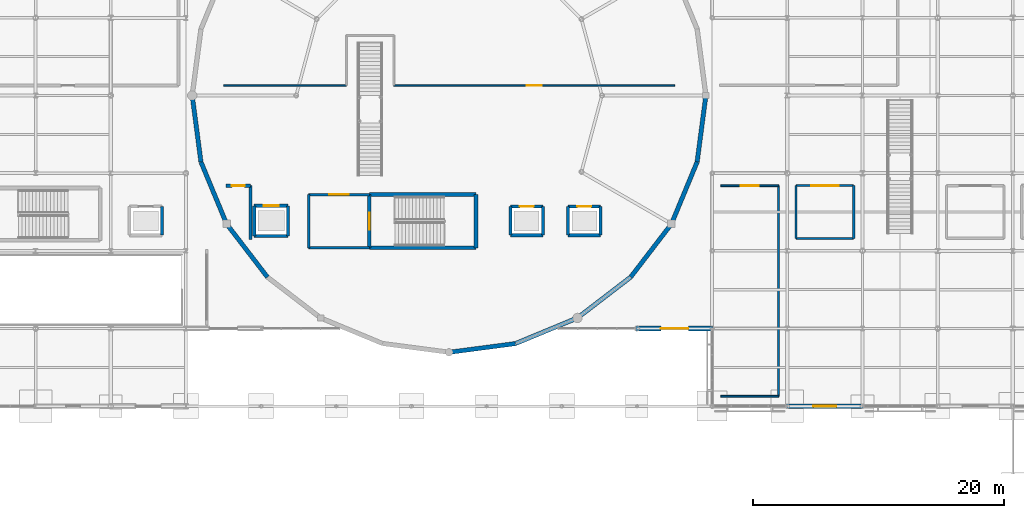
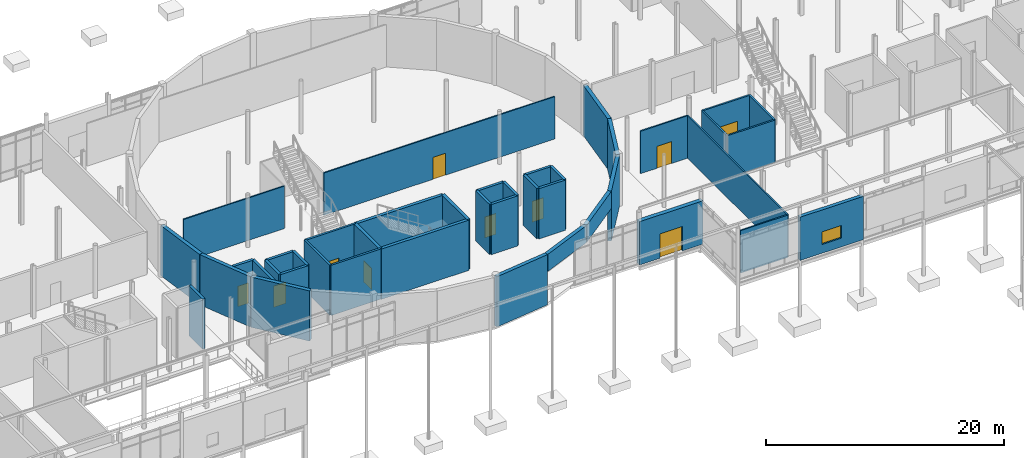
# One storey, part 69 of 98: 42 walls, 10 doors, 1 window, 11 openings.
"""IFC4 building model written with IfcOpenShell, lengths in metres."""

from ifc_helpers import new_model, si_unit, direction, frame, frame_2d, origin, place, context, subcontext, project, spatial, rectangle, extrude, material, layer, layer_set, type_object, element, fill, save


model = new_model("IFC4")

# Units and contexts
model_context = context("Model", 3, precision=1e-05, world=origin(), true_north=direction((0.0, 1.0)))
body_context = subcontext(model_context, "Body", "Model", "MODEL_VIEW")
ifc_project = project(units=[si_unit("LENGTHUNIT", "METRE"), si_unit("AREAUNIT", "SQUARE_METRE"), si_unit("VOLUMEUNIT", "CUBIC_METRE"), si_unit("PLANEANGLEUNIT", "RADIAN"), si_unit("MASSUNIT", "GRAM", prefix="KILO")], contexts=[model_context])

# Site, building, storey
site_placement = place(None, origin())
site = spatial("IfcSite", under=ifc_project, at=site_placement, CompositionType="ELEMENT")
building_placement = place(site_placement, origin())
building = spatial("IfcBuilding", under=site, at=building_placement, Name="Mirzam Square Science Centre", CompositionType="ELEMENT")
storey_placement = place(building_placement, origin())
storey = spatial("IfcBuildingStorey", under=building, at=storey_placement, Name="L00", CompositionType="ELEMENT", Elevation=0.0)

# Walls
ifc_material_1 = material(Name="Concrete C45/55", Category="concrete")
ifc_layer_1 = layer(ifc_material_1, 0.300048828125)
ifc_layer_set_1 = layer_set([ifc_layer_1], Name="W-CORE-300")
wall_type_1 = type_object("IfcWallType", Name="W-CORE-300", PredefinedType="SHEAR", material=ifc_layer_set_1)
for number, where, z_axis, x_axis, name in (
    (1, (74.639892578125, 49.840087890625, 0.0), (0.0, 0.0, 1.0), (1.0, 0.0, 0.0), "L00 CORE-3 south wall"),
    (2, (83.159912109375, 54.090087890625, 0.0), (0.0, 0.0, 1.0), (-1.0, 0.0, 0.0), "L00 CORE-3 north wall"),
):
    element("IfcWall", number, at=place(storey_placement, frame(where, z_axis=z_axis, x_axis=x_axis)), inside=storey, type_object=wall_type_1, Name=name, PredefinedType="SHEAR", context=body_context, shape_type="SweptSolid", body=[
        extrude(rectangle(XDim=8.52001953125, YDim=0.300048828125, at=frame_2d((4.260009765625, 0.0))), origin(), (0.0, 0.0, 1.0), 5.14990234375),
    ])

# Wall, opening, door
wall_1_placement = place(storey_placement, frame((74.639892578125, 54.090087890625, 0.0), z_axis=(0.0, 0.0, 1.0), x_axis=(0.0, -1.0, 0.0)))
wall_1 = element("IfcWall", 3, at=wall_1_placement, inside=storey, type_object=wall_type_1, Name="L00 CORE-3 west wall", PredefinedType="SHEAR", context=body_context, shape_type="SweptSolid", body=[
    extrude(rectangle(XDim=4.25, YDim=0.300048828125, at=frame_2d((2.125, 0.0))), origin(), (0.0, 0.0, 1.0), 5.14990234375),
])
opening_1_placement = place(wall_1_placement, frame((1.449951171875, 0.0, 0.0)))
opening_1 = element("IfcOpeningElement", 4, at=opening_1_placement, cuts=wall_1, Name="Opening DS-01", PredefinedType="OPENING", context=body_context, shape_type="SweptSolid", body=[
    extrude(rectangle(XDim=1.35009765625, YDim=2.199951171875, at=frame_2d((0.675048828125, 1.10009765625))), frame((0.0, 0.159912109375, 0.0), z_axis=(0.0, -1.0, 0.0), x_axis=(1.0, 0.0, 0.0)), (0.0, 0.0, 1.0), 0.320068359375),
])
ifc_material_2 = material(Name="Fire-Rated Powder-Coated Architectural Steel Door", Category="steel")
door_type_1 = type_object("IfcDoorType", Name="DR-STAIR-1350x2200", OperationType="NOTDEFINED", PredefinedType="DOOR", material=ifc_material_2)
door_1_placement = place(opening_1_placement, origin())
door_1 = element("IfcDoor", 5, at=door_1_placement, inside=storey, type_object=door_type_1, Name="DRS-3-L00", OperationType="SINGLE_SWING_RIGHT", OverallHeight=2.199951171875, OverallWidth=1.35009765625, PredefinedType="DOOR", context=body_context, shape_type="SweptSolid", body=[
    extrude(rectangle(XDim=1.35009765625, YDim=2.199951171875, at=frame_2d((0.675048828125, 1.10009765625))), frame((0.0, 0.02490234375, 0.0), z_axis=(0.0, -1.0, 0.0), x_axis=(1.0, 0.0, 0.0)), (0.0, 0.0, 1.0), 0.050048828125),
])
fill(opening_1, door_1)

# Walls
wall_2_placement = place(storey_placement, frame((83.159912109375, 49.840087890625, 0.0), z_axis=(0.0, 0.0, 1.0), x_axis=(0.0, 1.0, 0.0)))
element("IfcWall", 6, at=wall_2_placement, inside=storey, type_object=wall_type_1, Name="L00 CORE-3 east wall", PredefinedType="SHEAR", context=body_context, shape_type="SweptSolid", body=[
    extrude(rectangle(XDim=4.25, YDim=0.300048828125, at=frame_2d((2.125, 0.0))), origin(), (0.0, 0.0, 1.0), 5.14990234375),
])
ifc_layer_2 = layer(ifc_material_1, 0.35009765625)
ifc_layer_set_2 = layer_set([ifc_layer_2], Name="W-DRUM-350")
wall_type_2 = type_object("IfcWallType", Name="W-DRUM-350", PredefinedType="SHEAR", material=ifc_layer_set_2)
wall_3_placement = place(storey_placement, frame((60.5, 62.0, 0.0), z_axis=(0.0, 0.0, 1.0), x_axis=(0.130517056518, -0.991446064069, 0.0)))
element("IfcWall", 7, at=wall_3_placement, inside=storey, type_object=wall_type_2, Name="L00 planetarium drum wall 13", PredefinedType="SHEAR", context=body_context, shape_type="SweptSolid", body=[
    extrude(rectangle(XDim=5.351806640625, YDim=0.35009765625, at=frame_2d((2.67578125, 0.0))), origin(), (0.0, 0.0, 1.0), 5.14990234375),
])
for number, where, z_axis, x_axis, name in (
    (8, (61.198486328125, 56.694091796875, 0.0), (0.0, 0.0, 1.0), (0.382713071139, -0.923867255172, 0.0), "L00 planetarium drum wall 14"),
    (9, (63.24658203125, 51.75, 0.0), (0.0, 0.0, 1.0), (0.60876670321, -0.793349293227, 0.0), "L00 planetarium drum wall 15"),
):
    element("IfcWall", number, at=place(storey_placement, frame(where, z_axis=z_axis, x_axis=x_axis)), inside=storey, type_object=wall_type_2, Name=name, PredefinedType="SHEAR", context=body_context, shape_type="SweptSolid", body=[
        extrude(rectangle(XDim=5.3515625, YDim=0.35009765625, at=frame_2d((2.67578125, 0.0))), origin(), (0.0, 0.0, 1.0), 5.14990234375),
    ])
wall_4_placement = place(storey_placement, frame((81.0, 41.5, 0.0), z_axis=(0.0, 0.0, 1.0), x_axis=(0.991446064069, 0.130517056518, 0.0)))
element("IfcWall", 10, at=wall_4_placement, inside=storey, type_object=wall_type_2, Name="L00 planetarium drum wall 19", PredefinedType="SHEAR", context=body_context, shape_type="SweptSolid", body=[
    extrude(rectangle(XDim=5.351806640625, YDim=0.35009765625, at=frame_2d((2.67578125, 0.0))), origin(), (0.0, 0.0, 1.0), 5.14990234375),
])
for number, where, z_axis, x_axis, name in (
    (11, (86.305908203125, 42.198486328125, 3.39990234375), (0.0, 0.0, 1.0), (0.923867255172, 0.382713071139, 0.0), "L00 drum portal spandrel wall 20"),
    (12, (91.25, 44.24658203125, 3.39990234375), (0.0, 0.0, 1.0), (0.793349293227, 0.60876670321, 0.0), "L00 drum portal spandrel wall 21"),
):
    element("IfcWall", number, at=place(storey_placement, frame(where, z_axis=z_axis, x_axis=x_axis)), inside=storey, type_object=wall_type_2, Name=name, PredefinedType="SHEAR", context=body_context, shape_type="SweptSolid", body=[
        extrude(rectangle(XDim=5.3515625, YDim=0.35009765625, at=frame_2d((2.67578125, 0.0))), origin(), (0.0, 0.0, 1.0), 1.75),
    ])
for number, where, z_axis, x_axis, name in (
    (13, (95.49560546875, 47.50439453125, 0.0), (0.0, 0.0, 1.0), (0.60876670321, 0.793349293227, 0.0), "L00 planetarium drum wall 22"),
    (14, (98.75341796875, 51.75, 0.0), (0.0, 0.0, 1.0), (0.382713071139, 0.923867255172, 0.0), "L00 planetarium drum wall 23"),
):
    element("IfcWall", number, at=place(storey_placement, frame(where, z_axis=z_axis, x_axis=x_axis)), inside=storey, type_object=wall_type_2, Name=name, PredefinedType="SHEAR", context=body_context, shape_type="SweptSolid", body=[
        extrude(rectangle(XDim=5.3515625, YDim=0.35009765625, at=frame_2d((2.67578125, 0.0))), origin(), (0.0, 0.0, 1.0), 5.14990234375),
    ])
wall_5_placement = place(storey_placement, frame((100.801513671875, 56.694091796875, 0.0), z_axis=(0.0, 0.0, 1.0), x_axis=(0.130517056518, 0.991446064069, 0.0)))
element("IfcWall", 15, at=wall_5_placement, inside=storey, type_object=wall_type_2, Name="L00 planetarium drum wall 24", PredefinedType="SHEAR", context=body_context, shape_type="SweptSolid", body=[
    extrude(rectangle(XDim=5.351806640625, YDim=0.35009765625, at=frame_2d((2.67578125, 0.0))), origin(), (0.0, 0.0, 1.0), 5.14990234375),
])

# Wall, opening, window
ifc_material_3 = material(Name="Insulated Sand-Toned GFRC Concrete C40/50", Category="concrete")
ifc_layer_3 = layer(ifc_material_3, 0.340087890625)
ifc_layer_set_3 = layer_set([ifc_layer_3], Name="W-EXT-GFRC-340")
wall_type_3 = type_object("IfcWallType", Name="W-EXT-GFRC-340", PredefinedType="SOLIDWALL", material=ifc_layer_set_3)
wall_6_placement = place(storey_placement, frame((107.925048828125, 37.199951171875, 0.0), z_axis=(0.0, 0.0, 1.0), x_axis=(1.0, 0.0, 0.0)))
wall_6 = element("IfcWall", 16, at=wall_6_placement, inside=storey, type_object=wall_type_3, Name="L00 external wall EW-EST-S-L00-02", PredefinedType="SOLIDWALL", context=body_context, shape_type="SweptSolid", body=[
    extrude(rectangle(XDim=6.14990234375, YDim=0.340087890625, at=frame_2d((3.074951171875, 0.0))), origin(), (0.0, 0.0, 1.0), 4.43994140625),
])
opening_2_placement = place(wall_6_placement, frame((2.14990234375, 0.0, 0.89990234375)))
opening_2 = element("IfcOpeningElement", 17, at=opening_2_placement, cuts=wall_6, Name="Opening W-06", PredefinedType="OPENING", context=body_context, shape_type="SweptSolid", body=[
    extrude(rectangle(XDim=1.85009765625, YDim=1.300048828125, at=frame_2d((0.925048828125, 0.64990234375))), frame((0.0, 0.179931640625, 0.0), z_axis=(0.0, -1.0, 0.0), x_axis=(1.0, 0.0, 0.0)), (0.0, 0.0, 1.0), 0.360107421875),
])
ifc_material_4 = material(Name="Thermally Broken Bronze Aluminium and Low-E Glass", Category="aluminium")
window_type = type_object("IfcWindowType", Name="WIN-1850x1300", PartitioningType="DOUBLE_PANEL_VERTICAL", PredefinedType="WINDOW", material=ifc_material_4)
window_placement = place(opening_2_placement, origin())
window = element("IfcWindow", 18, at=window_placement, inside=storey, type_object=window_type, Name="L00 solar window 050", OverallHeight=1.300048828125, OverallWidth=1.85009765625, PartitioningType="DOUBLE_PANEL_VERTICAL", PredefinedType="WINDOW", context=body_context, shape_type="SweptSolid", body=[
    extrude(rectangle(XDim=1.85009765625, YDim=1.300048828125, at=frame_2d((0.925048828125, 0.64990234375))), frame((0.0, 0.030029296875, 0.0), z_axis=(0.0, -1.0, 0.0), x_axis=(1.0, 0.0, 0.0)), (0.0, 0.0, 1.0), 0.06005859375),
])
fill(opening_2, window)

# Wall, opening, door
ifc_material_5 = material(Name="Honed Qatari Limestone Concrete C40/50", Category="masonry")
ifc_layer_4 = layer(ifc_material_5, 0.39990234375)
ifc_layer_set_4 = layer_set([ifc_layer_4], Name="W-EXT-LIME-400")
wall_type_4 = type_object("IfcWallType", Name="W-EXT-LIME-400", PredefinedType="SOLIDWALL", material=ifc_layer_set_4)
wall_7_placement = place(storey_placement, frame((95.925048828125, 43.39990234375, 0.0), z_axis=(0.0, 0.0, 1.0), x_axis=(1.0, 0.0, 0.0)))
wall_7 = element("IfcWall", 19, at=wall_7_placement, inside=storey, type_object=wall_type_4, Name="L00 external wall EW-LNK-S-L00-E2", PredefinedType="SOLIDWALL", context=body_context, shape_type="SweptSolid", body=[
    extrude(rectangle(XDim=6.14990234375, YDim=0.39990234375, at=frame_2d((3.074951171875, 0.0))), origin(), (0.0, 0.0, 1.0), 4.43994140625),
])
opening_3_placement = place(wall_7_placement, frame((1.97509765625, 0.0, 0.0)))
opening_3 = element("IfcOpeningElement", 20, at=opening_3_placement, cuts=wall_7, Name="Opening ED-04", PredefinedType="OPENING", context=body_context, shape_type="SweptSolid", body=[
    extrude(rectangle(XDim=2.199951171875, YDim=2.5, at=frame_2d((1.10009765625, 1.25))), frame((0.0, 0.2099609375, 0.0), z_axis=(0.0, -1.0, 0.0), x_axis=(1.0, 0.0, 0.0)), (0.0, 0.0, 1.0), 0.419921875),
])
ifc_material_6 = material(Name="Thermally Broken Bronze-Anodised Aluminium and Laminated Glass", Category="aluminium")
door_type_2 = type_object("IfcDoorType", Name="DR-EXT-2200x2500", OperationType="DOUBLE_DOOR_SINGLE_SWING", PredefinedType="DOOR", material=ifc_material_6)
door_2_placement = place(opening_3_placement, frame((2.199951171875, 0.0, 0.0), z_axis=(0.0, 0.0, 1.0), x_axis=(-1.0, 0.0, 0.0)))
door_2 = element("IfcDoor", 21, at=door_2_placement, inside=storey, type_object=door_type_2, Name="ED-L00-014", OperationType="DOUBLE_DOOR_SINGLE_SWING", OverallHeight=2.5, OverallWidth=2.199951171875, PredefinedType="DOOR", context=body_context, shape_type="SweptSolid", body=[
    extrude(rectangle(XDim=2.199951171875, YDim=2.5, at=frame_2d((1.10009765625, 1.25))), frame((0.0, 0.02490234375, 0.0), z_axis=(0.0, -1.0, 0.0), x_axis=(1.0, 0.0, 0.0)), (0.0, 0.0, 1.0), 0.050048828125),
])
fill(opening_3, door_2)

# Wall
ifc_layer_5 = layer(ifc_material_1, 0.199951171875)
ifc_layer_set_5 = layer_set([ifc_layer_5], Name="W-LOBBY-200")
wall_type_5 = type_object("IfcWallType", Name="W-LOBBY-200", PredefinedType="SHEAR", material=ifc_layer_set_5)
wall_8_placement = place(storey_placement, frame((69.800048828125, 49.840087890625, 0.0), z_axis=(0.0, 0.0, 1.0), x_axis=(1.0, 0.0, 0.0)))
element("IfcWall", 22, at=wall_8_placement, inside=storey, type_object=wall_type_5, Name="L00 CORE-3 lobby south wall", PredefinedType="SHEAR", context=body_context, shape_type="SweptSolid", body=[
    extrude(rectangle(XDim=4.83984375, YDim=0.199951171875, at=frame_2d((2.419921875, 0.0))), origin(), (0.0, 0.0, 1.0), 5.14990234375),
])

# Wall, opening, door
wall_9_placement = place(storey_placement, frame((74.639892578125, 54.090087890625, 0.0), z_axis=(0.0, 0.0, 1.0), x_axis=(-1.0, 0.0, 0.0)))
wall_9 = element("IfcWall", 23, at=wall_9_placement, inside=storey, type_object=wall_type_5, Name="L00 CORE-3 lobby north wall", PredefinedType="SHEAR", context=body_context, shape_type="SweptSolid", body=[
    extrude(rectangle(XDim=4.83984375, YDim=0.199951171875, at=frame_2d((2.419921875, 0.0))), origin(), (0.0, 0.0, 1.0), 5.14990234375),
])
opening_4_placement = place(wall_9_placement, frame((1.64501953125, 0.0, 0.0)))
opening_4 = element("IfcOpeningElement", 24, at=opening_4_placement, cuts=wall_9, Name="Opening DL-01", PredefinedType="OPENING", context=body_context, shape_type="SweptSolid", body=[
    extrude(rectangle(XDim=1.550048828125, YDim=2.199951171875, at=frame_2d((0.77490234375, 1.10009765625))), frame((0.0, 0.10986328125, 0.0), z_axis=(0.0, -1.0, 0.0), x_axis=(1.0, 0.0, 0.0)), (0.0, 0.0, 1.0), 0.219970703125),
])
ifc_material_7 = material(Name="Fire-Rated Glazed Architectural Steel Lobby Door", Category="steel")
door_type_3 = type_object("IfcDoorType", Name="DR-LOBBY-1550x2200", OperationType="DOUBLE_DOOR_SINGLE_SWING", PredefinedType="DOOR", material=ifc_material_7)
door_3_placement = place(opening_4_placement, origin())
door_3 = element("IfcDoor", 25, at=door_3_placement, inside=storey, type_object=door_type_3, Name="DRL-3-L00", OperationType="SINGLE_SWING_LEFT", OverallHeight=2.199951171875, OverallWidth=1.550048828125, PredefinedType="DOOR", context=body_context, shape_type="SweptSolid", body=[
    extrude(rectangle(XDim=1.550048828125, YDim=2.199951171875, at=frame_2d((0.77490234375, 1.10009765625))), frame((0.0, 0.02490234375, 0.0), z_axis=(0.0, -1.0, 0.0), x_axis=(1.0, 0.0, 0.0)), (0.0, 0.0, 1.0), 0.050048828125),
])
fill(opening_4, door_3)

# Wall
wall_10_placement = place(storey_placement, frame((69.800048828125, 54.090087890625, 0.0), z_axis=(0.0, 0.0, 1.0), x_axis=(0.0, -1.0, 0.0)))
element("IfcWall", 26, at=wall_10_placement, inside=storey, type_object=wall_type_5, Name="L00 CORE-3 lobby west wall", PredefinedType="SHEAR", context=body_context, shape_type="SweptSolid", body=[
    extrude(rectangle(XDim=4.25, YDim=0.199951171875, at=frame_2d((2.125, 0.0))), origin(), (0.0, 0.0, 1.0), 5.14990234375),
])

# Wall, opening, door
ifc_material_8 = material(Name="Acoustic Gypsum Stud Partition", Category="gypsum")
ifc_layer_6 = layer(ifc_material_8, 0.1201171875)
ifc_layer_set_6 = layer_set([ifc_layer_6], Name="W-PART-120")
wall_type_6 = type_object("IfcWallType", Name="W-PART-120", PredefinedType="PARTITIONING", material=ifc_layer_set_6)
wall_11_placement = place(storey_placement, frame((99.0, 62.800048828125, 0.0), z_axis=(0.0, 0.0, 1.0), x_axis=(-1.0, 0.0, 0.0)))
wall_11 = element("IfcWall", 27, at=wall_11_placement, inside=storey, type_object=wall_type_6, Name="L00 Mirzam Rotunda Entrance Foyer partition 64", PredefinedType="PARTITIONING", context=body_context, shape_type="SweptSolid", body=[
    extrude(rectangle(XDim=22.39990234375, YDim=0.1201171875, at=frame_2d((11.199951171875, 0.0))), origin(), (0.0, 0.0, 1.0), 4.35009765625),
])
opening_5_placement = place(wall_11_placement, frame((10.60009765625, 0.0, 0.0)))
opening_5 = element("IfcOpeningElement", 28, at=opening_5_placement, cuts=wall_11, Name="Opening D-18", PredefinedType="OPENING", context=body_context, shape_type="SweptSolid", body=[
    extrude(rectangle(XDim=1.199951171875, YDim=2.25, at=frame_2d((0.60009765625, 1.125))), frame((0.0, 0.070068359375, 0.0), z_axis=(0.0, -1.0, 0.0), x_axis=(1.0, 0.0, 0.0)), (0.0, 0.0, 1.0), 0.14013671875),
])
ifc_material_9 = material(Name="Solid Core Acoustic Oak Timber Door", Category="wood")
door_type_4 = type_object("IfcDoorType", Name="DR-INT-1200x2250", OperationType="NOTDEFINED", PredefinedType="DOOR", material=ifc_material_9)
door_4_placement = place(opening_5_placement, origin())
door_4 = element("IfcDoor", 29, at=door_4_placement, inside=storey, type_object=door_type_4, Name="ID-L00-0017", OperationType="SINGLE_SWING_RIGHT", OverallHeight=2.25, OverallWidth=1.199951171875, PredefinedType="DOOR", context=body_context, shape_type="SweptSolid", body=[
    extrude(rectangle(XDim=1.199951171875, YDim=2.25, at=frame_2d((0.60009765625, 1.125))), frame((0.0, 0.02490234375, 0.0), z_axis=(0.0, -1.0, 0.0), x_axis=(1.0, 0.0, 0.0)), (0.0, 0.0, 1.0), 0.050048828125),
])
fill(opening_5, door_4)

# Wall
wall_12_placement = place(storey_placement, frame((72.800048828125, 62.800048828125, 0.0), z_axis=(0.0, 0.0, 1.0), x_axis=(-1.0, 0.0, 0.0)))
element("IfcWall", 30, at=wall_12_placement, inside=storey, type_object=wall_type_6, Name="L00 Mirzam Rotunda Entrance Foyer partition 68", PredefinedType="PARTITIONING", context=body_context, shape_type="SweptSolid", body=[
    extrude(rectangle(XDim=9.800048828125, YDim=0.1201171875, at=frame_2d((4.89990234375, 0.0))), origin(), (0.0, 0.0, 1.0), 4.35009765625),
])

# Wall, opening, door
ifc_material_10 = material(Name="Double-Board Gypsum Partition", Category="gypsum")
ifc_layer_7 = layer(ifc_material_10, 0.135009765625)
ifc_layer_set_7 = layer_set([ifc_layer_7], Name="W-PART-135")
wall_type_7 = type_object("IfcWallType", Name="W-PART-135", PredefinedType="PARTITIONING", material=ifc_layer_set_7)
wall_13_placement = place(storey_placement, frame((102.699951171875, 54.800048828125, 0.0), z_axis=(0.0, 0.0, 1.0), x_axis=(1.0, 0.0, 0.0)))
wall_13 = element("IfcWall", 31, at=wall_13_placement, inside=storey, type_object=wall_type_7, Name="L00 Fire Command Centre partition 69", PredefinedType="PARTITIONING", context=body_context, shape_type="SweptSolid", body=[
    extrude(rectangle(XDim=4.60009765625, YDim=0.135009765625, at=frame_2d((2.300048828125, 0.0))), origin(), (0.0, 0.0, 1.0), 4.35009765625),
])
opening_6_placement = place(wall_13_placement, frame((1.60009765625, 0.0, 0.0)))
opening_6 = element("IfcOpeningElement", 32, at=opening_6_placement, cuts=wall_13, Name="Opening D-19", PredefinedType="OPENING", context=body_context, shape_type="SweptSolid", body=[
    extrude(rectangle(XDim=1.39990234375, YDim=2.25, at=frame_2d((0.699951171875, 1.125))), frame((0.0, 0.077392578125, 0.0), z_axis=(0.0, -1.0, 0.0), x_axis=(1.0, 0.0, 0.0)), (0.0, 0.0, 1.0), 0.155029296875),
])
door_type_5 = type_object("IfcDoorType", Name="DR-INT-1400x2250", OperationType="NOTDEFINED", PredefinedType="DOOR", material=ifc_material_9)
door_5_placement = place(opening_6_placement, origin())
door_5 = element("IfcDoor", 33, at=door_5_placement, inside=storey, type_object=door_type_5, Name="ID-L00-0018", OperationType="SINGLE_SWING_LEFT", OverallHeight=2.25, OverallWidth=1.39990234375, PredefinedType="DOOR", context=body_context, shape_type="SweptSolid", body=[
    extrude(rectangle(XDim=1.39990234375, YDim=2.25, at=frame_2d((0.699951171875, 1.125))), frame((0.0, 0.02490234375, 0.0), z_axis=(0.0, -1.0, 0.0), x_axis=(1.0, 0.0, 0.0)), (0.0, 0.0, 1.0), 0.050048828125),
])
fill(opening_6, door_5)

# Walls
wall_14_placement = place(storey_placement, frame((107.300048828125, 54.800048828125, 0.0), z_axis=(0.0, 0.0, 1.0), x_axis=(0.0, -1.0, 0.0)))
element("IfcWall", 34, at=wall_14_placement, inside=storey, type_object=wall_type_7, Name="L00 Fire Command Centre partition 70", PredefinedType="PARTITIONING", context=body_context, shape_type="SweptSolid", body=[
    extrude(rectangle(XDim=16.800048828125, YDim=0.135009765625, at=frame_2d((8.39990234375, 0.0))), origin(), (0.0, 0.0, 1.0), 4.35009765625),
])
wall_15_placement = place(storey_placement, frame((107.300048828125, 38.0, 0.0), z_axis=(0.0, 0.0, 1.0), x_axis=(-1.0, 0.0, 0.0)))
element("IfcWall", 35, at=wall_15_placement, inside=storey, type_object=wall_type_7, Name="L00 Fire Command Centre partition 71", PredefinedType="PARTITIONING", context=body_context, shape_type="SweptSolid", body=[
    extrude(rectangle(XDim=4.60009765625, YDim=0.135009765625, at=frame_2d((2.300048828125, 0.0))), origin(), (0.0, 0.0, 1.0), 4.35009765625),
])

# Wall, opening, door
ifc_material_11 = material(Name="Wet-Area Moisture-Resistant Partition", Category="gypsum")
ifc_layer_8 = layer(ifc_material_11, 0.1650390625)
ifc_layer_set_8 = layer_set([ifc_layer_8], Name="W-PART-165")
wall_type_8 = type_object("IfcWallType", Name="W-PART-165", PredefinedType="PARTITIONING", material=ifc_layer_set_8)
wall_16_placement = place(storey_placement, frame((108.699951171875, 54.800048828125, 0.0), z_axis=(0.0, 0.0, 1.0), x_axis=(1.0, 0.0, 0.0)))
wall_16 = element("IfcWall", 36, at=wall_16_placement, inside=storey, type_object=wall_type_8, Name="L00 Male WC L00 partition 41", PredefinedType="PARTITIONING", context=body_context, shape_type="SweptSolid", body=[
    extrude(rectangle(XDim=4.60009765625, YDim=0.1650390625, at=frame_2d((2.300048828125, 0.0))), origin(), (0.0, 0.0, 1.0), 4.35009765625),
])
opening_7_placement = place(wall_16_placement, frame((1.199951171875, 0.0, 0.0)))
opening_7 = element("IfcOpeningElement", 37, at=opening_7_placement, cuts=wall_16, Name="Opening D-11", PredefinedType="OPENING", context=body_context, shape_type="SweptSolid", body=[
    extrude(rectangle(XDim=2.199951171875, YDim=2.10009765625, at=frame_2d((1.10009765625, 1.050048828125))), frame((0.0, 0.092529296875, 0.0), z_axis=(0.0, -1.0, 0.0), x_axis=(1.0, 0.0, 0.0)), (0.0, 0.0, 1.0), 0.18505859375),
])
ifc_material_12 = material(Name="Powder-Coated Architectural Steel Acoustic Door", Category="steel")
door_type_6 = type_object("IfcDoorType", Name="DR-INT-2200x2100", OperationType="DOUBLE_DOOR_SINGLE_SWING", PredefinedType="DOOR", material=ifc_material_12)
door_6_placement = place(opening_7_placement, origin())
door_6 = element("IfcDoor", 38, at=door_6_placement, inside=storey, type_object=door_type_6, Name="ID-L00-0010", OperationType="DOUBLE_DOOR_SINGLE_SWING", OverallHeight=2.10009765625, OverallWidth=2.199951171875, PredefinedType="DOOR", context=body_context, shape_type="SweptSolid", body=[
    extrude(rectangle(XDim=2.199951171875, YDim=2.10009765625, at=frame_2d((1.10009765625, 1.050048828125))), frame((0.0, 0.02490234375, 0.0), z_axis=(0.0, -1.0, 0.0), x_axis=(1.0, 0.0, 0.0)), (0.0, 0.0, 1.0), 0.050048828125),
])
fill(opening_7, door_6)

# Walls
wall_17_placement = place(storey_placement, frame((113.300048828125, 54.800048828125, 0.0), z_axis=(0.0, 0.0, 1.0), x_axis=(0.0, -1.0, 0.0)))
element("IfcWall", 39, at=wall_17_placement, inside=storey, type_object=wall_type_8, Name="L00 Male WC L00 partition 42", PredefinedType="PARTITIONING", context=body_context, shape_type="SweptSolid", body=[
    extrude(rectangle(XDim=4.199951171875, YDim=0.1650390625, at=frame_2d((2.10009765625, 0.0))), origin(), (0.0, 0.0, 1.0), 4.35009765625),
])
wall_18_placement = place(storey_placement, frame((113.300048828125, 50.60009765625, 0.0), z_axis=(0.0, 0.0, 1.0), x_axis=(-1.0, 0.0, 0.0)))
element("IfcWall", 40, at=wall_18_placement, inside=storey, type_object=wall_type_8, Name="L00 Male WC L00 partition 43", PredefinedType="PARTITIONING", context=body_context, shape_type="SweptSolid", body=[
    extrude(rectangle(XDim=4.60009765625, YDim=0.1650390625, at=frame_2d((2.300048828125, 0.0))), origin(), (0.0, 0.0, 1.0), 4.35009765625),
])
wall_19_placement = place(storey_placement, frame((108.699951171875, 50.60009765625, 0.0), z_axis=(0.0, 0.0, 1.0), x_axis=(0.0, 1.0, 0.0)))
element("IfcWall", 41, at=wall_19_placement, inside=storey, type_object=wall_type_8, Name="L00 Male WC L00 partition 44", PredefinedType="PARTITIONING", context=body_context, shape_type="SweptSolid", body=[
    extrude(rectangle(XDim=4.199951171875, YDim=0.1650390625, at=frame_2d((2.10009765625, 0.0))), origin(), (0.0, 0.0, 1.0), 4.35009765625),
])

# Wall, opening, door
ifc_material_13 = material(Name="Theatre Acoustic Isolation Wall Concrete C35/45", Category="concrete")
ifc_layer_9 = layer(ifc_material_13, 0.260009765625)
ifc_layer_set_9 = layer_set([ifc_layer_9], Name="W-PART-260")
wall_type_9 = type_object("IfcWallType", Name="W-PART-260", PredefinedType="PARTITIONING", material=ifc_layer_set_9)
wall_20_placement = place(storey_placement, frame((63.199951171875, 54.800048828125, 0.0), z_axis=(0.0, 0.0, 1.0), x_axis=(1.0, 0.0, 0.0)))
wall_20 = element("IfcWall", 42, at=wall_20_placement, inside=storey, type_object=wall_type_9, Name="L00 Planetarium Orientation and Celestial Globe Hall partition 98", PredefinedType="PARTITIONING", context=body_context, shape_type="SweptSolid", body=[
    extrude(rectangle(XDim=1.949951171875, YDim=0.260009765625, at=frame_2d((0.97509765625, 0.0))), origin(), (0.0, 0.0, 1.0), 4.35009765625),
])
opening_8_placement = place(wall_20_placement, frame((0.47509765625, 0.0, 0.0)))
opening_8 = element("IfcOpeningElement", 43, at=opening_8_placement, cuts=wall_20, Name="Opening D-03", PredefinedType="OPENING", context=body_context, shape_type="SweptSolid", body=[
    extrude(rectangle(XDim=1.0, YDim=2.10009765625, at=frame_2d((0.5, 1.050048828125))), frame((0.0, 0.139892578125, 0.0), z_axis=(0.0, -1.0, 0.0), x_axis=(1.0, 0.0, 0.0)), (0.0, 0.0, 1.0), 0.280029296875),
])
door_type_7 = type_object("IfcDoorType", Name="DR-INT-1000x2100", OperationType="NOTDEFINED", PredefinedType="DOOR", material=ifc_material_9)
door_7_placement = place(opening_8_placement, origin())
door_7 = element("IfcDoor", 44, at=door_7_placement, inside=storey, type_object=door_type_7, Name="ID-L00-0026", OperationType="SINGLE_SWING_LEFT", OverallHeight=2.10009765625, OverallWidth=1.0, PredefinedType="DOOR", context=body_context, shape_type="SweptSolid", body=[
    extrude(rectangle(XDim=1.0, YDim=2.10009765625, at=frame_2d((0.5, 1.050048828125))), frame((0.0, 0.02490234375, 0.0), z_axis=(0.0, -1.0, 0.0), x_axis=(1.0, 0.0, 0.0)), (0.0, 0.0, 1.0), 0.050048828125),
])
fill(opening_8, door_7)

# Walls
wall_21_placement = place(storey_placement, frame((65.14990234375, 54.800048828125, 0.0), z_axis=(0.0, 0.0, 1.0), x_axis=(0.0, -1.0, 0.0)))
element("IfcWall", 45, at=wall_21_placement, inside=storey, type_object=wall_type_9, Name="L00 Planetarium Orientation and Celestial Globe Hall partition 99", PredefinedType="PARTITIONING", context=body_context, shape_type="SweptSolid", body=[
    extrude(rectangle(XDim=4.300048828125, YDim=0.260009765625, at=frame_2d((2.14990234375, 0.0))), origin(), (0.0, 0.0, 1.0), 4.35009765625),
])
ifc_layer_10 = layer(ifc_material_1, 0.25)
ifc_layer_set_10 = layer_set([ifc_layer_10], Name="W-SHAFT-250")
wall_type_10 = type_object("IfcWallType", Name="W-SHAFT-250", PredefinedType="SHEAR", material=ifc_layer_set_10)
wall_22_placement = place(storey_placement, frame((85.89990234375, 50.85009765625, 0.0), z_axis=(0.0, 0.0, 1.0), x_axis=(1.0, 0.0, 0.0)))
element("IfcWall", 46, at=wall_22_placement, inside=storey, type_object=wall_type_10, Name="L00 lift LP-01 shaft wall S", PredefinedType="SHEAR", context=body_context, shape_type="SweptSolid", body=[
    extrude(rectangle(XDim=2.60009765625, YDim=0.25, at=frame_2d((1.300048828125, 0.0))), origin(), (0.0, 0.0, 1.0), 5.14990234375),
])

# Wall, opening, door
wall_23_placement = place(storey_placement, frame((88.5, 53.14990234375, 0.0), z_axis=(0.0, 0.0, 1.0), x_axis=(-1.0, 0.0, 0.0)))
wall_23 = element("IfcWall", 47, at=wall_23_placement, inside=storey, type_object=wall_type_10, Name="L00 lift LP-01 shaft wall N", PredefinedType="SHEAR", context=body_context, shape_type="SweptSolid", body=[
    extrude(rectangle(XDim=2.60009765625, YDim=0.25, at=frame_2d((1.300048828125, 0.0))), origin(), (0.0, 0.0, 1.0), 5.14990234375),
])
opening_9_placement = place(wall_23_placement, frame((0.75, 0.0, 0.0)))
opening_9 = element("IfcOpeningElement", 48, at=opening_9_placement, cuts=wall_23, Name="Opening LD-01", PredefinedType="OPENING", context=body_context, shape_type="SweptSolid", body=[
    extrude(rectangle(XDim=1.10009765625, YDim=2.14990234375, at=frame_2d((0.550048828125, 1.074951171875))), frame((0.0, 0.135009765625, 0.0), z_axis=(0.0, -1.0, 0.0), x_axis=(1.0, 0.0, 0.0)), (0.0, 0.0, 1.0), 0.27001953125),
])
ifc_material_14 = material(Name="Brushed Stainless Steel 316L Sliding Lift Door", Category="steel")
door_type_8 = type_object("IfcDoorType", Name="LD-PASS-1100x2150", OperationType="DOUBLE_DOOR_SLIDING", PredefinedType="DOOR", material=ifc_material_14)
door_8_placement = place(opening_9_placement, origin())
door_8 = element("IfcDoor", 49, at=door_8_placement, inside=storey, type_object=door_type_8, Name="LD-LP-01-L00", OperationType="DOUBLE_DOOR_SLIDING", OverallHeight=2.14990234375, OverallWidth=1.10009765625, PredefinedType="DOOR", context=body_context, shape_type="SweptSolid", body=[
    extrude(rectangle(XDim=1.10009765625, YDim=2.14990234375, at=frame_2d((0.550048828125, 1.074951171875))), frame((0.0, 0.02490234375, 0.0), z_axis=(0.0, -1.0, 0.0), x_axis=(1.0, 0.0, 0.0)), (0.0, 0.0, 1.0), 0.050048828125),
])
fill(opening_9, door_8)

# Walls
for number, where, z_axis, x_axis, name in (
    (50, (85.89990234375, 53.14990234375, 0.0), (0.0, 0.0, 1.0), (0.0, -1.0, 0.0), "L00 lift LP-01 shaft wall W"),
    (51, (88.5, 50.85009765625, 0.0), (0.0, 0.0, 1.0), (0.0, 1.0, 0.0), "L00 lift LP-01 shaft wall E"),
):
    element("IfcWall", number, at=place(storey_placement, frame(where, z_axis=z_axis, x_axis=x_axis)), inside=storey, type_object=wall_type_10, Name=name, PredefinedType="SHEAR", context=body_context, shape_type="SweptSolid", body=[
        extrude(rectangle(XDim=2.2998046875, YDim=0.25, at=frame_2d((1.14990234375, 0.0))), origin(), (0.0, 0.0, 1.0), 5.14990234375),
    ])
wall_24_placement = place(storey_placement, frame((90.5, 50.85009765625, 0.0), z_axis=(0.0, 0.0, 1.0), x_axis=(1.0, 0.0, 0.0)))
element("IfcWall", 52, at=wall_24_placement, inside=storey, type_object=wall_type_10, Name="L00 lift LP-02 shaft wall S", PredefinedType="SHEAR", context=body_context, shape_type="SweptSolid", body=[
    extrude(rectangle(XDim=2.60009765625, YDim=0.25, at=frame_2d((1.300048828125, 0.0))), origin(), (0.0, 0.0, 1.0), 5.14990234375),
])

# Wall, opening, door
wall_25_placement = place(storey_placement, frame((93.10009765625, 53.14990234375, 0.0), z_axis=(0.0, 0.0, 1.0), x_axis=(-1.0, 0.0, 0.0)))
wall_25 = element("IfcWall", 53, at=wall_25_placement, inside=storey, type_object=wall_type_10, Name="L00 lift LP-02 shaft wall N", PredefinedType="SHEAR", context=body_context, shape_type="SweptSolid", body=[
    extrude(rectangle(XDim=2.60009765625, YDim=0.25, at=frame_2d((1.300048828125, 0.0))), origin(), (0.0, 0.0, 1.0), 5.14990234375),
])
opening_10_placement = place(wall_25_placement, frame((0.75, 0.0, 0.0)))
opening_10 = element("IfcOpeningElement", 54, at=opening_10_placement, cuts=wall_25, Name="Opening LD-01", PredefinedType="OPENING", context=body_context, shape_type="SweptSolid", body=[
    extrude(rectangle(XDim=1.10009765625, YDim=2.14990234375, at=frame_2d((0.550048828125, 1.074951171875))), frame((0.0, 0.135009765625, 0.0), z_axis=(0.0, -1.0, 0.0), x_axis=(1.0, 0.0, 0.0)), (0.0, 0.0, 1.0), 0.27001953125),
])
door_9_placement = place(opening_10_placement, origin())
door_9 = element("IfcDoor", 55, at=door_9_placement, inside=storey, type_object=door_type_8, Name="LD-LP-02-L00", OperationType="DOUBLE_DOOR_SLIDING", OverallHeight=2.14990234375, OverallWidth=1.10009765625, PredefinedType="DOOR", context=body_context, shape_type="SweptSolid", body=[
    extrude(rectangle(XDim=1.10009765625, YDim=2.14990234375, at=frame_2d((0.550048828125, 1.074951171875))), frame((0.0, 0.02490234375, 0.0), z_axis=(0.0, -1.0, 0.0), x_axis=(1.0, 0.0, 0.0)), (0.0, 0.0, 1.0), 0.050048828125),
])
fill(opening_10, door_9)

# Walls
for number, where, z_axis, x_axis, name in (
    (56, (90.5, 53.14990234375, 0.0), (0.0, 0.0, 1.0), (0.0, -1.0, 0.0), "L00 lift LP-02 shaft wall W"),
    (57, (93.10009765625, 50.85009765625, 0.0), (0.0, 0.0, 1.0), (0.0, 1.0, 0.0), "L00 lift LP-02 shaft wall E"),
    (58, (58.10009765625, 50.85009765625, 0.0), (0.0, 0.0, 1.0), (0.0, 1.0, 0.0), "L00 lift LP-04 shaft wall E"),
):
    element("IfcWall", number, at=place(storey_placement, frame(where, z_axis=z_axis, x_axis=x_axis)), inside=storey, type_object=wall_type_10, Name=name, PredefinedType="SHEAR", context=body_context, shape_type="SweptSolid", body=[
        extrude(rectangle(XDim=2.2998046875, YDim=0.25, at=frame_2d((1.14990234375, 0.0))), origin(), (0.0, 0.0, 1.0), 5.14990234375),
    ])
wall_26_placement = place(storey_placement, frame((65.449951171875, 50.800048828125, 0.0), z_axis=(0.0, 0.0, 1.0), x_axis=(1.0, 0.0, 0.0)))
element("IfcWall", 59, at=wall_26_placement, inside=storey, type_object=wall_type_10, Name="L00 lift LF-01 shaft wall S", PredefinedType="SHEAR", context=body_context, shape_type="SweptSolid", body=[
    extrude(rectangle(XDim=2.699951171875, YDim=0.25, at=frame_2d((1.35009765625, 0.0))), origin(), (0.0, 0.0, 1.0), 5.14990234375),
])

# Wall, opening, door
wall_27_placement = place(storey_placement, frame((68.14990234375, 53.199951171875, 0.0), z_axis=(0.0, 0.0, 1.0), x_axis=(-1.0, 0.0, 0.0)))
wall_27 = element("IfcWall", 60, at=wall_27_placement, inside=storey, type_object=wall_type_10, Name="L00 lift LF-01 shaft wall N", PredefinedType="SHEAR", context=body_context, shape_type="SweptSolid", body=[
    extrude(rectangle(XDim=2.699951171875, YDim=0.25, at=frame_2d((1.35009765625, 0.0))), origin(), (0.0, 0.0, 1.0), 5.14990234375),
])
opening_11_placement = place(wall_27_placement, frame((0.75, 0.0, 0.0)))
opening_11 = element("IfcOpeningElement", 61, at=opening_11_placement, cuts=wall_27, Name="Opening LD-02", PredefinedType="OPENING", context=body_context, shape_type="SweptSolid", body=[
    extrude(rectangle(XDim=1.199951171875, YDim=2.199951171875, at=frame_2d((0.60009765625, 1.10009765625))), frame((0.0, 0.135009765625, 0.0), z_axis=(0.0, -1.0, 0.0), x_axis=(1.0, 0.0, 0.0)), (0.0, 0.0, 1.0), 0.27001953125),
])
ifc_material_15 = material(Name="Firefighting Brushed Stainless Steel 316L Sliding Door", Category="steel")
door_type_9 = type_object("IfcDoorType", Name="LD-FIRE-1200x2200", OperationType="DOUBLE_DOOR_SLIDING", PredefinedType="DOOR", material=ifc_material_15)
door_10_placement = place(opening_11_placement, origin())
door_10 = element("IfcDoor", 62, at=door_10_placement, inside=storey, type_object=door_type_9, Name="LD-LF-01-L00", OperationType="DOUBLE_DOOR_SLIDING", OverallHeight=2.199951171875, OverallWidth=1.199951171875, PredefinedType="DOOR", context=body_context, shape_type="SweptSolid", body=[
    extrude(rectangle(XDim=1.199951171875, YDim=2.199951171875, at=frame_2d((0.60009765625, 1.10009765625))), frame((0.0, 0.02490234375, 0.0), z_axis=(0.0, -1.0, 0.0), x_axis=(1.0, 0.0, 0.0)), (0.0, 0.0, 1.0), 0.050048828125),
])
fill(opening_11, door_10)

# Walls
for number, where, z_axis, x_axis, name in (
    (63, (65.449951171875, 53.199951171875, 0.0), (0.0, 0.0, 1.0), (0.0, -1.0, 0.0), "L00 lift LF-01 shaft wall W"),
    (64, (68.14990234375, 50.800048828125, 0.0), (0.0, 0.0, 1.0), (0.0, 1.0, 0.0), "L00 lift LF-01 shaft wall E"),
):
    element("IfcWall", number, at=place(storey_placement, frame(where, z_axis=z_axis, x_axis=x_axis)), inside=storey, type_object=wall_type_10, Name=name, PredefinedType="SHEAR", context=body_context, shape_type="SweptSolid", body=[
        extrude(rectangle(XDim=2.39990234375, YDim=0.25, at=frame_2d((1.199951171875, 0.0))), origin(), (0.0, 0.0, 1.0), 5.14990234375),
    ])

save(model, "model.ifc")
